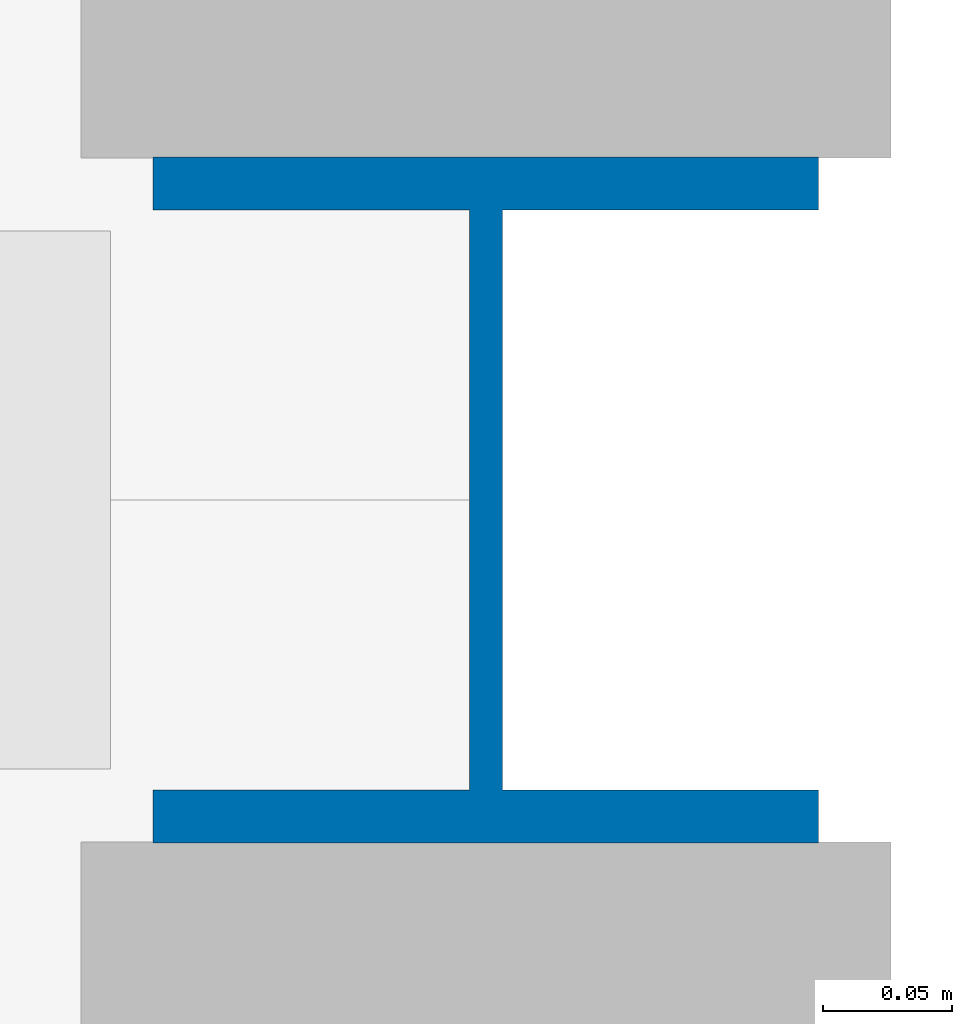
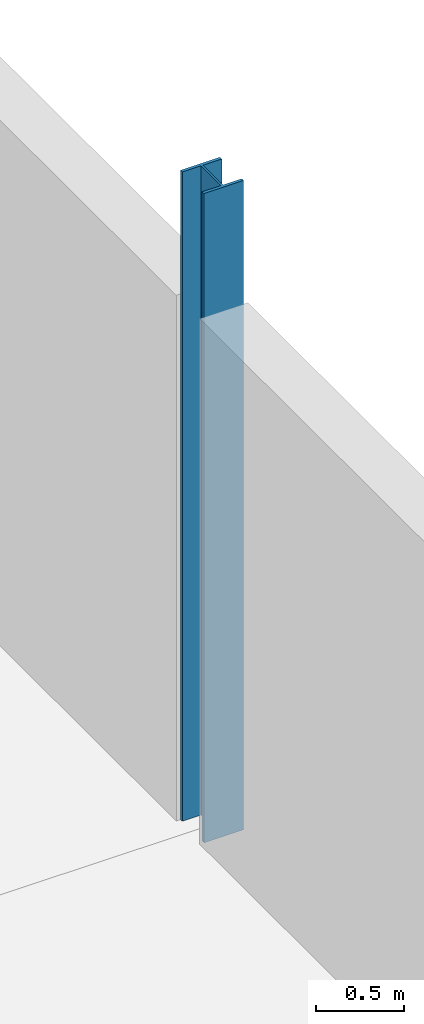
# One storey, part 7 of 28: 1 column.
"""IFC4 building model written with IfcOpenShell, lengths in metres."""

import ifcopenshell
import ifcopenshell.guid

model = None  # the IFC model being written
_history = None  # IfcOwnerHistory: only IFC2X3 demands one
_inside = {}  # id of a spatial element -> (the spatial element, [elements in it])
_under = {}  # id of a project, library or spatial element -> (it, [spatial elements below it])
_declared = {}  # id of a project -> (the project, [libraries it declares])
_typed = {}  # id of a type object -> (the type object, [elements of that type])
_made_of = {}  # id of a material, layer set ... -> (it, [elements and type objects made of it])


def new_model(schema):
    """Start an empty IFC model of exactly this schema.

    Asked for "IFC4X3", IfcOpenShell would pick the latest addendum, in which some entities
    have other attributes; the version numbers below select the first issue.
    IFC2X3 requires an IfcOwnerHistory on every rooted entity: one is made here for all.
    """
    global model, _history
    if schema == "IFC4X3":
        model = ifcopenshell.file(schema_version=(4, 3, 0, 0))
    else:
        model = ifcopenshell.file(schema=schema)
    _inside.clear()
    _under.clear()
    _declared.clear()
    _typed.clear()
    _made_of.clear()
    _history = None
    if model.schema == "IFC2X3":
        org = make("IfcOrganization", Name="unknown")
        user = make(
            "IfcPersonAndOrganization",
            ThePerson=make("IfcPerson", FamilyName="unknown"),
            TheOrganization=org,
        )
        app = make(
            "IfcApplication",
            ApplicationDeveloper=org,
            Version="unknown",
            ApplicationFullName="unknown",
            ApplicationIdentifier="unknown",
        )
        _history = make(
            "IfcOwnerHistory",
            OwningUser=user,
            OwningApplication=app,
            ChangeAction="ADDED",
            CreationDate=0,
        )
    return model


def make(cls, **values):
    """One entity of the class cls with the attributes given. An attribute that is None is left unset."""
    return model.create_entity(
        cls, **{name: value for name, value in values.items() if value is not None}
    )


def rooted(cls, **values):
    """An entity with a GlobalId (a new one), such as an element, a storey or a relation."""
    return make(cls, GlobalId=ifcopenshell.guid.new(), OwnerHistory=_history, **values)


def si_unit(unit_type, name, prefix=None):
    """IfcSIUnit, for example si_unit("LENGTHUNIT", "METRE", prefix="MILLI")."""
    return make("IfcSIUnit", UnitType=unit_type, Prefix=prefix, Name=name)


def assignment(units):
    """IfcUnitAssignment: the units of a project."""
    return None if units is None else make("IfcUnitAssignment", Units=units)


def point(xyz):
    """IfcCartesianPoint."""
    return None if xyz is None else make("IfcCartesianPoint", Coordinates=xyz)


def direction(xyz):
    """IfcDirection."""
    return None if xyz is None else make("IfcDirection", DirectionRatios=xyz)


def frame(location, z_axis=None, x_axis=None):
    """IfcAxis2Placement3D, a coordinate frame: its origin and axes. An axis left out is left unset."""
    return make(
        "IfcAxis2Placement3D",
        Location=point(location),
        Axis=direction(z_axis),
        RefDirection=direction(x_axis),
    )


def frame_2d(location, x_axis=None):
    """IfcAxis2Placement2D, a coordinate frame in the plane: its origin and x axis."""
    return make(
        "IfcAxis2Placement2D", Location=point(location), RefDirection=direction(x_axis)
    )


def origin():
    """The frame at (0, 0, 0) with its axes left unset."""
    return frame((0.0, 0.0, 0.0))


def origin_2d():
    """The frame at (0, 0) in the plane with its x axis left unset."""
    return frame_2d((0.0, 0.0))


def place(relative_to, where):
    """IfcLocalPlacement: puts the frame where relative to a parent placement (None: the world)."""
    return make(
        "IfcLocalPlacement", PlacementRelTo=relative_to, RelativePlacement=where
    )


def context(
    kind, dimensions, precision=None, world=None, true_north=None, identifier=None
):
    """IfcGeometricRepresentationContext, for example the 3D "Model" context."""
    return make(
        "IfcGeometricRepresentationContext",
        ContextIdentifier=identifier,
        ContextType=kind,
        CoordinateSpaceDimension=dimensions,
        Precision=precision,
        WorldCoordinateSystem=world,
        TrueNorth=true_north,
    )


def subcontext(parent, identifier, kind, view, scale=None):
    """IfcGeometricRepresentationSubContext, for example "Body" below "Model"."""
    return make(
        "IfcGeometricRepresentationSubContext",
        ContextIdentifier=identifier,
        ContextType=kind,
        ParentContext=parent,
        TargetScale=scale,
        TargetView=view,
    )


def project(units=None, contexts=None):
    """IfcProject with its units and contexts."""
    return rooted(
        "IfcProject",
        Name="project",
        RepresentationContexts=contexts,
        UnitsInContext=assignment(units),
    )


def spatial(cls, under=None, at=None, **own):
    """A site, building, storey or space (cls), placed at a placement, below another one or the project."""
    s = rooted(cls, ObjectPlacement=at, **own)
    if under is not None:
        _under.setdefault(under.id(), (under, []))[1].append(s)
    return s


def profile(cls, at=None, kind="AREA", **sizes):
    """A parametric profile (cls). Its sizes go by their IFC names, for example OverallWidth=200.0."""
    return make(cls, ProfileType=kind, Position=at, **sizes)


def i_section(**sizes):
    """IfcIShapeProfileDef."""
    return profile("IfcIShapeProfileDef", **sizes)


def extrude(swept, where, along, depth):
    """IfcExtrudedAreaSolid: the profile swept, set in the frame where, extruded along a direction by depth."""
    return make(
        "IfcExtrudedAreaSolid",
        SweptArea=swept,
        Position=where,
        ExtrudedDirection=direction(along),
        Depth=depth,
    )


def shape(context_of_items, identifier, shape_type, items):
    """IfcShapeRepresentation: the items that make up one representation, for example the "Body"."""
    return make(
        "IfcShapeRepresentation",
        ContextOfItems=context_of_items,
        RepresentationIdentifier=identifier,
        RepresentationType=shape_type,
        Items=items,
    )


def material(Name=None, Category=None):
    """IfcMaterial."""
    return make("IfcMaterial", Name=Name, Category=Category)


def material_profile(
    of_material, cross_section, Name=None, Category=None, Priority=None
):
    """IfcMaterialProfile: a cross section and its material."""
    return make(
        "IfcMaterialProfile",
        Name=Name,
        Material=of_material,
        Profile=cross_section,
        Priority=Priority,
        Category=Category,
    )


def profile_set(profiles, Name=None, composite=None):
    """IfcMaterialProfileSet."""
    return make(
        "IfcMaterialProfileSet",
        Name=Name,
        MaterialProfiles=profiles,
        CompositeProfile=composite,
    )


def made_of(thing, what):
    """Note that an element or type object is made of a material, layer set ...; save() writes the relation."""
    if what is not None:
        _made_of.setdefault(what.id(), (what, []))[1].append(thing)
    return thing


def type_object(cls, material=None, **own):
    """A type object (cls), such as IfcWallType, which elements share."""
    return made_of(rooted(cls, **own), material)


def element(
    cls,
    number,
    at=None,
    inside=None,
    cuts=None,
    type_object=None,
    material=None,
    context=None,
    identifier="Body",
    shape_type=None,
    held_by="IfcProductDefinitionShape",
    body=None,
    shapes=None,
    **own,
):
    """One element of the class cls, such as IfcWall. Its Tag is "e" and its number.

    at: its placement. inside: the storey or other place that contains it. cuts: it is an
    opening in that element (IfcRelVoidsElement). A single representation is given by context,
    identifier, shape_type and body (its items); several are given by shapes. held_by: the class
    of the entity that holds the representations. save() writes the other relations.
    """
    e = rooted(cls, Tag="e%d" % number, ObjectPlacement=at, **own)
    if body is not None:
        shapes = [shape(context, identifier, shape_type, body)]
    if shapes is not None:
        e.Representation = make(held_by, Representations=shapes)
    if inside is not None:
        _inside.setdefault(inside.id(), (inside, []))[1].append(e)
    if cuts is not None:
        rooted(
            "IfcRelVoidsElement", RelatingBuildingElement=cuts, RelatedOpeningElement=e
        )
    if type_object is not None:
        _typed.setdefault(type_object.id(), (type_object, []))[1].append(e)
    return made_of(e, material)


def aggregate(whole, parts):
    """IfcRelAggregates: a whole, such as a stair, and the parts it consists of."""
    return rooted("IfcRelAggregates", RelatingObject=whole, RelatedObjects=parts)


def save(model, path):
    """Write the relations noted so far, then the file.

    IfcRelAggregates (storeys below a building ...), IfcRelContainedInSpatialStructure (elements
    in a storey), IfcRelDefinesByType, IfcRelAssociatesMaterial and IfcRelDeclares: one each for
    every whole, place, type object, material and project.
    """
    for whole, parts in _under.values():
        aggregate(whole, parts)
    for where, things in _inside.values():
        rooted(
            "IfcRelContainedInSpatialStructure",
            RelatedElements=things,
            RelatingStructure=where,
        )
    for kind, things in _typed.values():
        rooted("IfcRelDefinesByType", RelatedObjects=things, RelatingType=kind)
    for what, things in _made_of.values():
        rooted("IfcRelAssociatesMaterial", RelatedObjects=things, RelatingMaterial=what)
    for by, libraries in _declared.values():
        rooted("IfcRelDeclares", RelatingContext=by, RelatedDefinitions=libraries)
    model.write(path)


model = new_model("IFC4")

# Units and contexts
model_context = context("Model", 3, precision=1e-05, world=origin(), true_north=direction((0.0, 1.0)))
body_context = subcontext(model_context, "Body", "Model", "MODEL_VIEW")
ifc_project = project(units=[si_unit("LENGTHUNIT", "METRE"), si_unit("AREAUNIT", "SQUARE_METRE"), si_unit("VOLUMEUNIT", "CUBIC_METRE"), si_unit("PLANEANGLEUNIT", "RADIAN"), si_unit("MASSUNIT", "GRAM", prefix="KILO")], contexts=[model_context])

# Site, building, storey
site_placement = place(None, origin())
site = spatial("IfcSite", under=ifc_project, at=site_placement, CompositionType="ELEMENT")
building_placement = place(site_placement, origin())
building = spatial("IfcBuilding", under=site, at=building_placement, Name="Kisiwana Market Hall", CompositionType="ELEMENT")
storey_placement = place(building_placement, frame((0.0, 0.0, 49.5)))
storey = spatial("IfcBuildingStorey", under=building, at=storey_placement, Name="L11", CompositionType="ELEMENT", Elevation=49.5)

# Column
ifc_material = material(Name="Steel S355", Category="steel")
ifc_material_profile = material_profile(ifc_material, i_section(OverallWidth=0.2587890625, OverallDepth=0.2666015625, WebThickness=0.0126953125, FlangeThickness=0.0205078125, at=origin_2d()), Name="UC 254x254x107")
ifc_profile_set = profile_set([ifc_material_profile], Name="Steel S355")
column_type = type_object("IfcColumnType", Name="COL-STL-UC107", PredefinedType="COLUMN", material=ifc_profile_set)
column_placement = place(storey_placement, frame((198.0, 60.0, 0.0), z_axis=(0.0, 0.0, 1.0), x_axis=(1.0, 0.0, 0.0)))
element("IfcColumn", 1, at=column_placement, inside=storey, type_object=column_type, Name="Column H/23 (L11) C-1355", PredefinedType="COLUMN", context=body_context, shape_type="SweptSolid", body=[
    extrude(i_section(OverallWidth=0.2587890625, OverallDepth=0.2666015625, WebThickness=0.0126953125, FlangeThickness=0.0205078125, at=origin_2d()), origin(), (0.0, 0.0, 1.0), 4.5),
])

save(model, "model.ifc")
